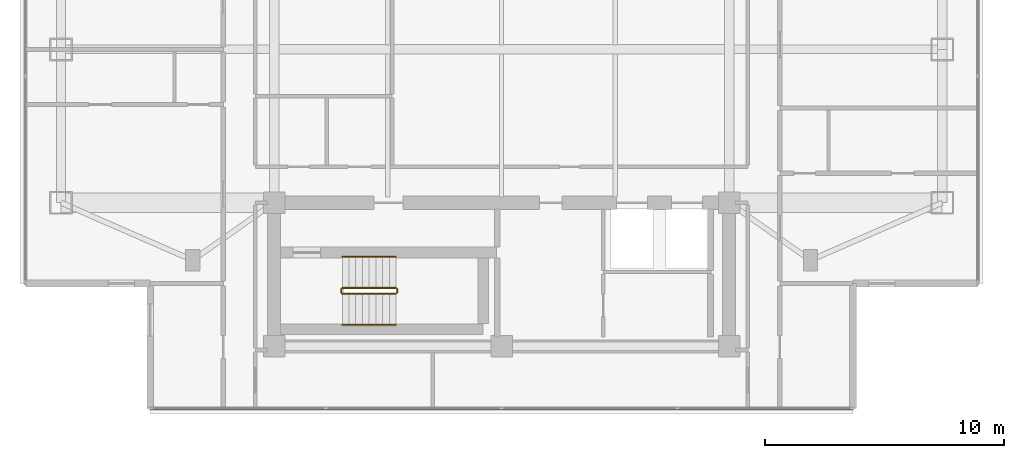
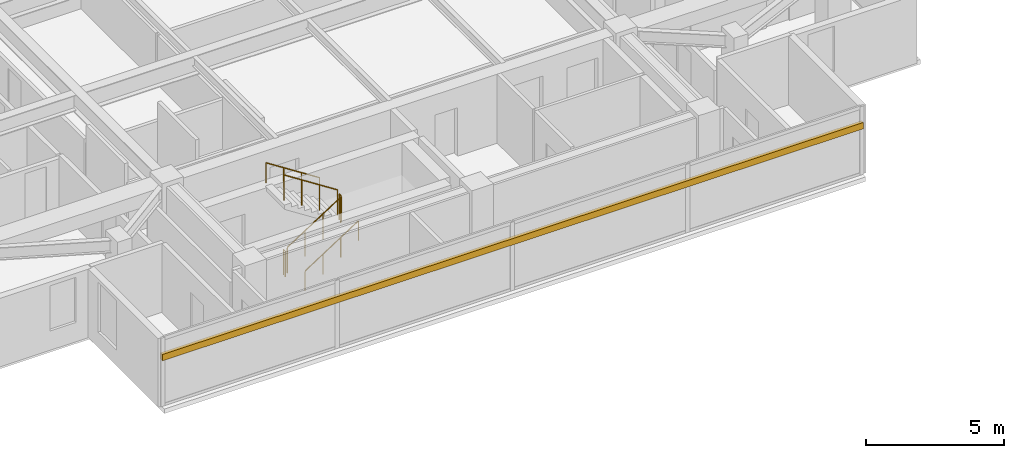
# One storey, part 19 of 24: 6 railings, 1 shading device.
"""IFC4 building model written with IfcOpenShell, lengths in metres."""

from ifc_helpers import new_model, si_unit, direction, frame, origin, origin_2d, place, context, subcontext, project, spatial, rectangle, circle, extrude, material, material_profile, profile_set, type_object, element, save


model = new_model("IFC4")

# Units and contexts
model_context = context("Model", 3, precision=1e-05, world=origin(), true_north=direction((0.0, 1.0)))
body_context = subcontext(model_context, "Body", "Model", "MODEL_VIEW")
ifc_project = project(units=[si_unit("LENGTHUNIT", "METRE"), si_unit("AREAUNIT", "SQUARE_METRE"), si_unit("VOLUMEUNIT", "CUBIC_METRE"), si_unit("PLANEANGLEUNIT", "RADIAN"), si_unit("MASSUNIT", "GRAM", prefix="KILO")], contexts=[model_context])

# Site, building, storey
site_placement = place(None, origin())
site = spatial("IfcSite", under=ifc_project, at=site_placement, CompositionType="ELEMENT")
building_placement = place(site_placement, origin())
building = spatial("IfcBuilding", under=site, at=building_placement, Name="Mirazonda Arch Towers", CompositionType="ELEMENT")
storey_placement = place(building_placement, frame((0.0, 0.0, 190.14990234375)))
storey = spatial("IfcBuildingStorey", under=building, at=storey_placement, Name="L54", CompositionType="ELEMENT", Elevation=190.14990234375)

# Shading device
ifc_material_1 = material(Name="Kiln-Fired Architectural Terracotta", Category="masonry")
ifc_material_profile = material_profile(ifc_material_1, rectangle(XDim=0.139892578125, YDim=0.280029296875, at=origin_2d()), Name="TERRA-BAG-140x280")
ifc_profile_set = profile_set([ifc_material_profile], Name="Kiln-Fired Architectural Terracotta")
shading_device_type = type_object("IfcShadingDeviceType", Name="BAGUETTE-3", PredefinedType="USERDEFINED", material=ifc_profile_set)
shading_device_placement = place(storey_placement, frame((35.175048828125, 9.81396484375, 2.181640625), z_axis=(-1.0, 0.0, 0.0), x_axis=(0.0, -1.0, 0.0)))
element("IfcShadingDevice", 1, at=shading_device_placement, inside=storey, type_object=shading_device_type, Name="L54 Glazed Terracotta Sun-Screen Baguette CW-L54-T1-S", ObjectType="BAGUETTE", PredefinedType="USERDEFINED", context=body_context, shape_type="SweptSolid", body=[
    extrude(rectangle(XDim=0.139892578125, YDim=0.280029296875, at=origin_2d()), origin(), (0.0, 0.0, 1.0), 29.35009765625),
])

# Railings
ifc_material_2 = material(Name="Architectural Brushed Steel S355", Category="steel")
railing_type_1 = type_object("IfcRailingType", Name="GUARD-STAIR-1120", PredefinedType="GUARDRAIL", material=ifc_material_2)
railing_1_placement = place(storey_placement, frame((13.85009765625, 14.60009765625, 0.1806640625)))
element("IfcRailing", 2, at=railing_1_placement, inside=storey, type_object=railing_type_1, Name="L54 ST-T1S stair guard 1", PredefinedType="GUARDRAIL", context=body_context, shape_type="SweptSolid", body=[
    extrude(circle(Radius=0.02392578125, at=origin_2d()), frame((0.0, 0.0, 1.1259765625), z_axis=(0.840436612492, 0.0, 0.541909863706), x_axis=(0.0, 1.0, 0.0)), (0.0, 0.0, 1.0), 2.665283203125),
    extrude(circle(Radius=0.02099609375, at=origin_2d()), origin(), (0.0, 0.0, 1.0), 1.101806640625),
    extrude(circle(Radius=0.02099609375, at=origin_2d()), frame((0.74658203125, 0.0, 0.4814453125)), (0.0, 0.0, 1.0), 1.101806640625),
    extrude(circle(Radius=0.02099609375, at=origin_2d()), frame((1.493408203125, 0.0, 0.962890625)), (0.0, 0.0, 1.0), 1.101806640625),
    extrude(circle(Radius=0.02099609375, at=origin_2d()), frame((2.239990234375, 0.0, 1.4443359375)), (0.0, 0.0, 1.0), 1.101806640625),
])
railing_2_placement = place(storey_placement, frame((16.139892578125, 14.64990234375, 1.625)))
element("IfcRailing", 3, at=railing_2_placement, inside=storey, type_object=railing_type_1, Name="L54 ST-T1S stair guard 2", PredefinedType="GUARDRAIL", context=body_context, shape_type="SweptSolid", body=[
    extrude(circle(Radius=0.02392578125, at=origin_2d()), frame((0.0, 0.0, 1.1259765625), z_axis=(0.0, 1.0, 0.0), x_axis=(-1.0, 0.0, 0.0)), (0.0, 0.0, 1.0), 0.14013671875),
    extrude(circle(Radius=0.02099609375, at=origin_2d()), origin(), (0.0, 0.0, 1.0), 1.101806640625),
    extrude(circle(Radius=0.02099609375, at=origin_2d()), frame((0.0, 0.14013671875, 0.0)), (0.0, 0.0, 1.0), 1.101806640625),
])
railing_3_placement = place(storey_placement, frame((16.090087890625, 14.840087890625, 1.8056640625)))
element("IfcRailing", 4, at=railing_3_placement, inside=storey, type_object=railing_type_1, Name="L54 ST-T1S stair guard 3", PredefinedType="GUARDRAIL", context=body_context, shape_type="SweptSolid", body=[
    extrude(circle(Radius=0.02392578125, at=origin_2d()), frame((0.0, 0.0, 1.1259765625), z_axis=(-0.840436612492, 0.0, 0.541909863706), x_axis=(0.0, -1.0, 0.0)), (0.0, 0.0, 1.0), 2.665283203125),
    extrude(circle(Radius=0.02099609375, at=origin_2d()), origin(), (0.0, 0.0, 1.0), 1.101806640625),
    extrude(circle(Radius=0.02099609375, at=origin_2d()), frame((-0.74658203125, 0.0, 0.4814453125)), (0.0, 0.0, 1.0), 1.101806640625),
    extrude(circle(Radius=0.02099609375, at=origin_2d()), frame((-1.493408203125, 0.0, 0.962890625)), (0.0, 0.0, 1.0), 1.101806640625),
    extrude(circle(Radius=0.02099609375, at=origin_2d()), frame((-2.239990234375, 0.0, 1.4443359375)), (0.0, 0.0, 1.0), 1.101806640625),
])
railing_4_placement = place(storey_placement, frame((13.800048828125, 14.64990234375, 0.0)))
element("IfcRailing", 5, at=railing_4_placement, inside=storey, type_object=railing_type_1, Name="L54 ST-T1S stair guard 4", PredefinedType="GUARDRAIL", context=body_context, shape_type="SweptSolid", body=[
    extrude(circle(Radius=0.02392578125, at=origin_2d()), frame((0.0, 0.0, 1.1259765625), z_axis=(0.0, 1.0, 0.0), x_axis=(-1.0, 0.0, 0.0)), (0.0, 0.0, 1.0), 0.14013671875),
    extrude(circle(Radius=0.02099609375, at=origin_2d()), origin(), (0.0, 0.0, 1.0), 1.101806640625),
    extrude(circle(Radius=0.02099609375, at=origin_2d()), frame((0.0, 0.14013671875, 0.0)), (0.0, 0.0, 1.0), 1.101806640625),
])
railing_type_2 = type_object("IfcRailingType", Name="HANDRAIL-915", PredefinedType="HANDRAIL", material=ifc_material_2)
railing_5_placement = place(storey_placement, frame((13.85009765625, 13.300048828125, 0.1806640625)))
element("IfcRailing", 6, at=railing_5_placement, inside=storey, type_object=railing_type_2, Name="L54 ST-T1S stair handrail 1", PredefinedType="HANDRAIL", context=body_context, shape_type="SweptSolid", body=[
    extrude(circle(Radius=0.02392578125, at=origin_2d()), frame((0.0, 0.0, 0.8759765625), z_axis=(0.840436612492, 0.0, 0.541909863706), x_axis=(0.0, 1.0, 0.0)), (0.0, 0.0, 1.0), 2.665283203125),
    extrude(circle(Radius=0.02099609375, at=origin_2d()), origin(), (0.0, 0.0, 1.0), 0.851806640625),
    extrude(circle(Radius=0.02099609375, at=origin_2d()), frame((0.74658203125, 0.0, 0.4814453125)), (0.0, 0.0, 1.0), 0.851806640625),
    extrude(circle(Radius=0.02099609375, at=origin_2d()), frame((1.493408203125, 0.0, 0.962890625)), (0.0, 0.0, 1.0), 0.851806640625),
    extrude(circle(Radius=0.02099609375, at=origin_2d()), frame((2.239990234375, 0.0, 1.4443359375)), (0.0, 0.0, 1.0), 0.851806640625),
])
railing_6_placement = place(storey_placement, frame((16.090087890625, 16.139892578125, 1.8056640625)))
element("IfcRailing", 7, at=railing_6_placement, inside=storey, type_object=railing_type_2, Name="L54 ST-T1S stair handrail 2", PredefinedType="HANDRAIL", context=body_context, shape_type="SweptSolid", body=[
    extrude(circle(Radius=0.02392578125, at=origin_2d()), frame((0.0, 0.0, 0.8759765625), z_axis=(-0.840436612492, 0.0, 0.541909863706), x_axis=(0.0, -1.0, 0.0)), (0.0, 0.0, 1.0), 2.665283203125),
    extrude(circle(Radius=0.02099609375, at=origin_2d()), origin(), (0.0, 0.0, 1.0), 0.851806640625),
    extrude(circle(Radius=0.02099609375, at=origin_2d()), frame((-0.74658203125, 0.0, 0.4814453125)), (0.0, 0.0, 1.0), 0.851806640625),
    extrude(circle(Radius=0.02099609375, at=origin_2d()), frame((-1.493408203125, 0.0, 0.962890625)), (0.0, 0.0, 1.0), 0.851806640625),
    extrude(circle(Radius=0.02099609375, at=origin_2d()), frame((-2.239990234375, 0.0, 1.4443359375)), (0.0, 0.0, 1.0), 0.851806640625),
])

save(model, "model.ifc")
